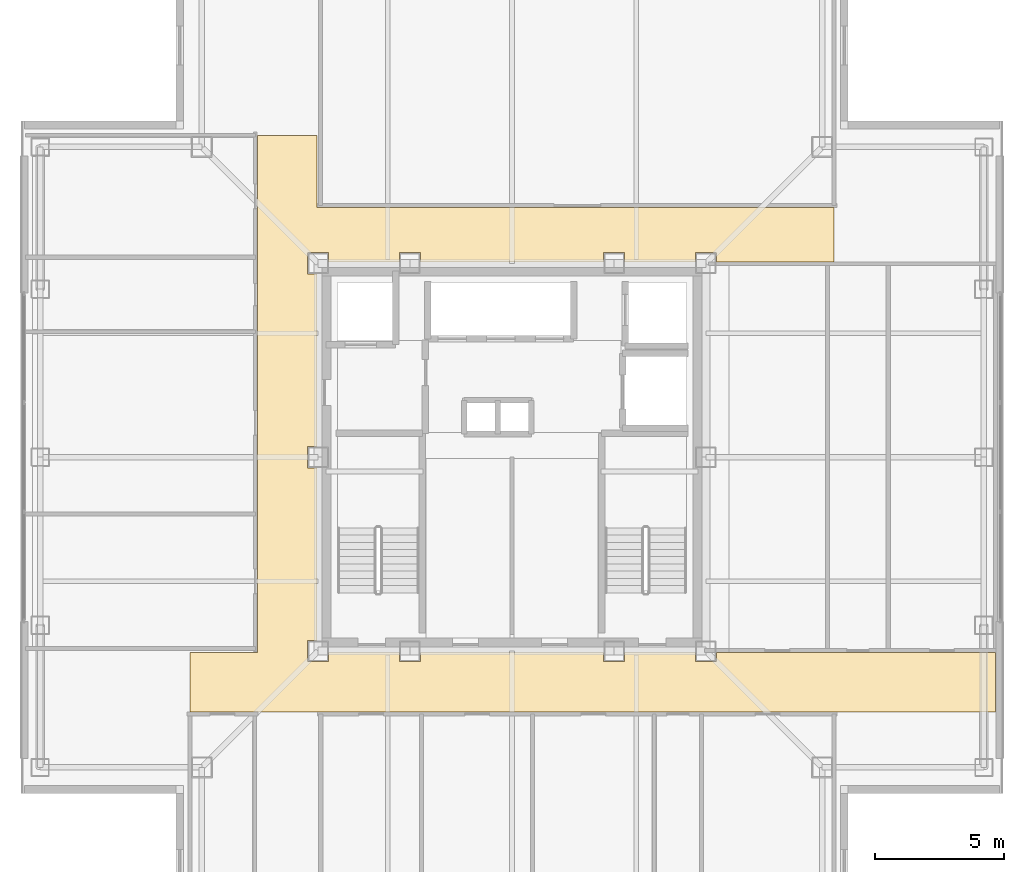
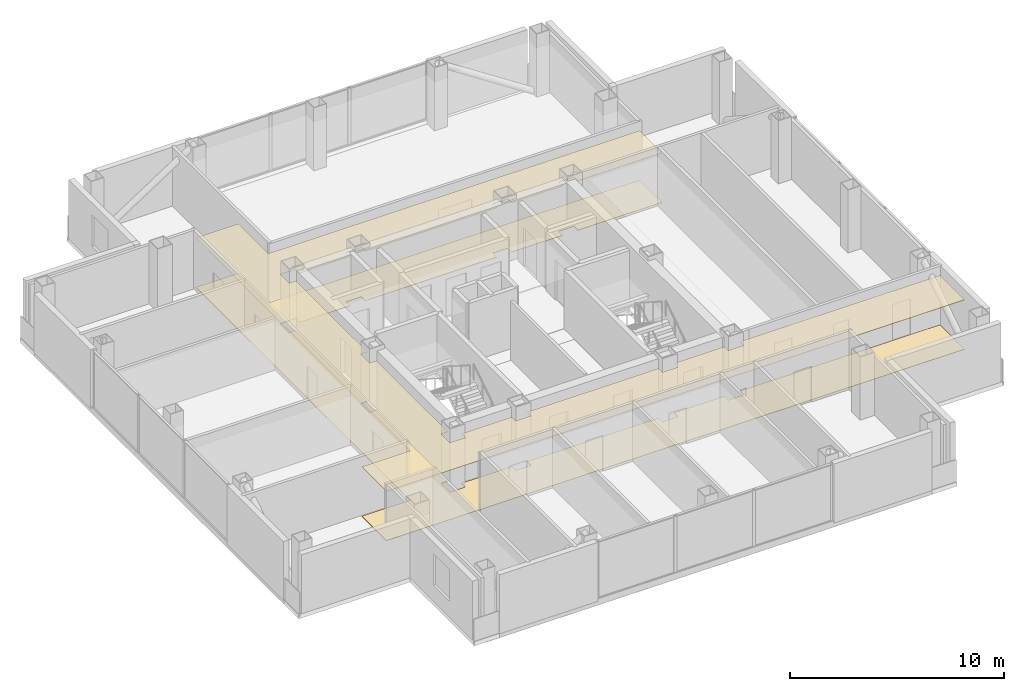
# One storey, part 14 of 16: 2 coverings.
"""IFC4 building model written with IfcOpenShell, lengths in metres."""

from ifc_helpers import new_model, si_unit, direction, frame, origin, place, context, subcontext, project, spatial, polyline, outline, extrude, material, layer, layer_set, type_object, element, save


model = new_model("IFC4")

# Units and contexts
model_context = context("Model", 3, precision=1e-05, world=origin(), true_north=direction((0.0, 1.0)))
body_context = subcontext(model_context, "Body", "Model", "MODEL_VIEW")
ifc_project = project(units=[si_unit("LENGTHUNIT", "METRE"), si_unit("AREAUNIT", "SQUARE_METRE"), si_unit("VOLUMEUNIT", "CUBIC_METRE"), si_unit("PLANEANGLEUNIT", "RADIAN"), si_unit("MASSUNIT", "GRAM", prefix="KILO")], contexts=[model_context])

# Site, building, storey
site_placement = place(None, origin())
site = spatial("IfcSite", under=ifc_project, at=site_placement, CompositionType="ELEMENT")
building_placement = place(site_placement, origin())
building = spatial("IfcBuilding", under=site, at=building_placement, Name="Trevonay Congress Spire", CompositionType="ELEMENT")
storey_placement = place(building_placement, frame((0.0, 0.0, 290.0)))
storey = spatial("IfcBuildingStorey", under=building, at=storey_placement, Name="L76", CompositionType="ELEMENT", Elevation=290.0)

# Coverings
ifc_material_1 = material(Name="Acoustic Mineral Fibre Board", Category="gypsum")
ifc_layer_1 = layer(ifc_material_1, 0.02490234375, Name="Acoustic Mineral Fibre Board")
ifc_layer_set_1 = layer_set([ifc_layer_1], Name="Acoustic Mineral Fibre Board")
covering_type_1 = type_object("IfcCoveringType", Name="COV-CEIL-ACOUSTIC", PredefinedType="CEILING", material=ifc_layer_set_1)
covering_1_placement = place(storey_placement, frame((0.0, 0.0, 2.81005859375)))
element("IfcCovering", 1, at=covering_1_placement, inside=storey, type_object=covering_type_1, Name="L76 Cruciform Boulevard Corridor acoustic suspended ceiling", PredefinedType="CEILING", context=body_context, shape_type="SweptSolid", body=[
    extrude(outline(polyline([(18.699951171875, -7.550048828125), (18.699951171875, -9.85009765625), (-12.449951171875, -9.85009765625), (-12.449951171875, -7.550048828125), (-9.85009765625, -7.550048828125), (-9.85009765625, 12.449951171875), (-7.550048828125, 12.449951171875), (-7.550048828125, 9.64990234375), (12.449951171875, 9.64990234375), (12.449951171875, 7.550048828125), (7.909912109375, 7.550048828125), (7.909912109375, 7.909912109375), (7.090087890625, 7.909912109375), (7.090087890625, 7.550048828125), (4.360107421875, 7.550048828125), (4.360107421875, 7.909912109375), (3.5400390625, 7.909912109375), (3.5400390625, 7.550048828125), (-3.5400390625, 7.550048828125), (-3.5400390625, 7.909912109375), (-4.360107421875, 7.909912109375), (-4.360107421875, 7.550048828125), (-7.090087890625, 7.550048828125), (-7.090087890625, 7.909912109375), (-7.909912109375, 7.909912109375), (-7.909912109375, 7.090087890625), (-7.550048828125, 7.090087890625), (-7.550048828125, 0.409912109375), (-7.909912109375, 0.409912109375), (-7.909912109375, -0.409912109375), (-7.550048828125, -0.409912109375), (-7.550048828125, -7.090087890625), (-7.909912109375, -7.090087890625), (-7.909912109375, -7.909912109375), (-7.090087890625, -7.909912109375), (-7.090087890625, -7.550048828125), (-4.360107421875, -7.550048828125), (-4.360107421875, -7.909912109375), (-3.5400390625, -7.909912109375), (-3.5400390625, -7.550048828125), (3.5400390625, -7.550048828125), (3.5400390625, -7.909912109375), (4.360107421875, -7.909912109375), (4.360107421875, -7.550048828125), (7.090087890625, -7.550048828125), (7.090087890625, -7.909912109375), (7.909912109375, -7.909912109375), (7.909912109375, -7.550048828125), (18.699951171875, -7.550048828125)])), origin(), (0.0, 0.0, 1.0), 0.02490234375),
])
ifc_material_2 = material(Name="Polished Granite Floor Tile", Category="masonry")
ifc_layer_2 = layer(ifc_material_2, 0.02001953125, Name="Polished Granite Floor Tile")
ifc_layer_set_2 = layer_set([ifc_layer_2], Name="Polished Granite Floor Tile")
covering_type_2 = type_object("IfcCoveringType", Name="COV-FLOOR-STONE", PredefinedType="FLOORING", material=ifc_layer_set_2)
covering_2_placement = place(storey_placement, origin())
element("IfcCovering", 2, at=covering_2_placement, inside=storey, type_object=covering_type_2, Name="L76 Cruciform Boulevard Corridor floor finish", PredefinedType="FLOORING", context=body_context, shape_type="SweptSolid", body=[
    extrude(outline(polyline([(18.699951171875, -7.550048828125), (18.699951171875, -9.85009765625), (-12.449951171875, -9.85009765625), (-12.449951171875, -7.550048828125), (-9.85009765625, -7.550048828125), (-9.85009765625, 12.449951171875), (-7.550048828125, 12.449951171875), (-7.550048828125, 9.64990234375), (12.449951171875, 9.64990234375), (12.449951171875, 7.550048828125), (7.909912109375, 7.550048828125), (7.909912109375, 7.909912109375), (7.090087890625, 7.909912109375), (7.090087890625, 7.550048828125), (4.360107421875, 7.550048828125), (4.360107421875, 7.909912109375), (3.5400390625, 7.909912109375), (3.5400390625, 7.550048828125), (-3.5400390625, 7.550048828125), (-3.5400390625, 7.909912109375), (-4.360107421875, 7.909912109375), (-4.360107421875, 7.550048828125), (-7.090087890625, 7.550048828125), (-7.090087890625, 7.909912109375), (-7.909912109375, 7.909912109375), (-7.909912109375, 7.090087890625), (-7.550048828125, 7.090087890625), (-7.550048828125, 0.409912109375), (-7.909912109375, 0.409912109375), (-7.909912109375, -0.409912109375), (-7.550048828125, -0.409912109375), (-7.550048828125, -7.090087890625), (-7.909912109375, -7.090087890625), (-7.909912109375, -7.909912109375), (-7.090087890625, -7.909912109375), (-7.090087890625, -7.550048828125), (-4.360107421875, -7.550048828125), (-4.360107421875, -7.909912109375), (-3.5400390625, -7.909912109375), (-3.5400390625, -7.550048828125), (3.5400390625, -7.550048828125), (3.5400390625, -7.909912109375), (4.360107421875, -7.909912109375), (4.360107421875, -7.550048828125), (7.090087890625, -7.550048828125), (7.090087890625, -7.909912109375), (7.909912109375, -7.909912109375), (7.909912109375, -7.550048828125), (18.699951171875, -7.550048828125)])), origin(), (0.0, 0.0, 1.0), 0.02001953125),
])

save(model, "model.ifc")
